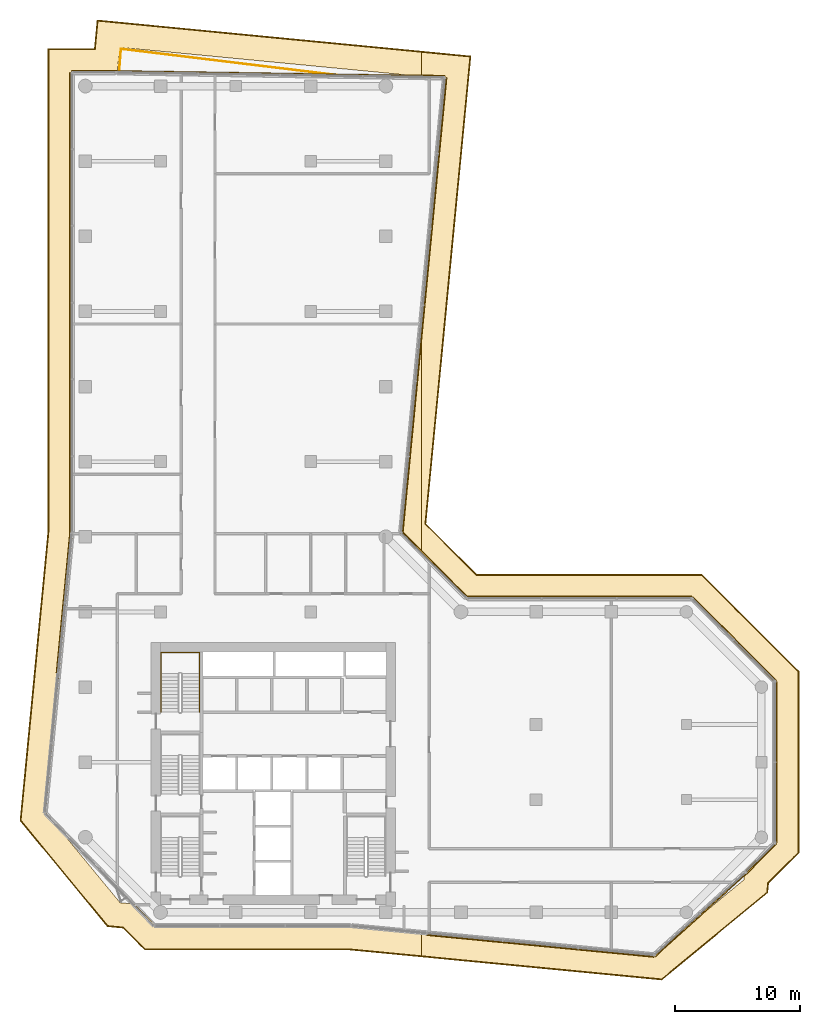
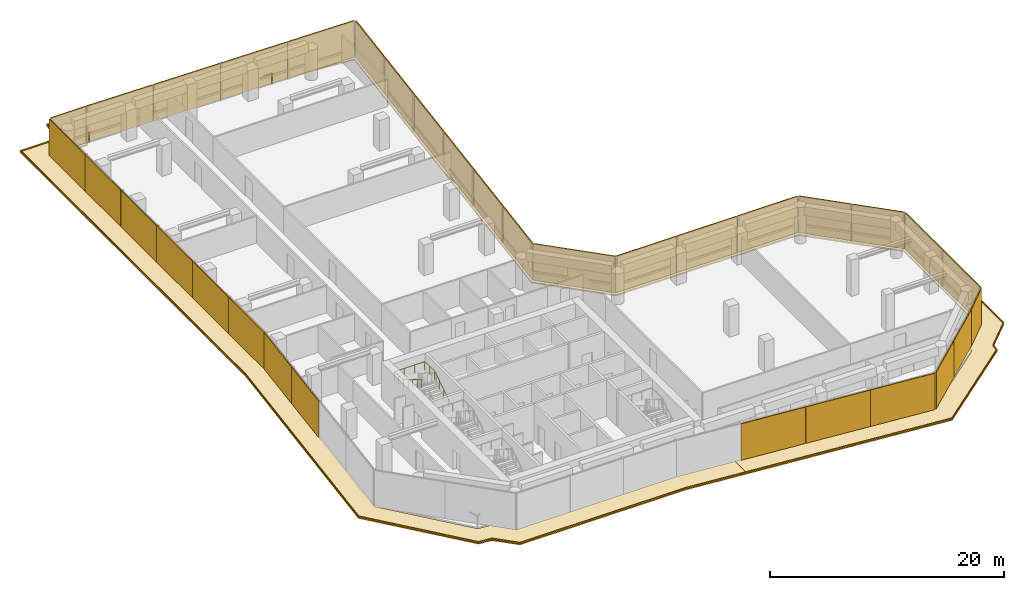
# One storey, part 12 of 12: 38 coverings, 2 railings.
"""IFC4 building model written with IfcOpenShell, lengths in metres."""

import ifcopenshell
import ifcopenshell.guid

model = None  # the IFC model being written
_history = None  # IfcOwnerHistory: only IFC2X3 demands one
_inside = {}  # id of a spatial element -> (the spatial element, [elements in it])
_under = {}  # id of a project, library or spatial element -> (it, [spatial elements below it])
_declared = {}  # id of a project -> (the project, [libraries it declares])
_typed = {}  # id of a type object -> (the type object, [elements of that type])
_made_of = {}  # id of a material, layer set ... -> (it, [elements and type objects made of it])


def new_model(schema):
    """Start an empty IFC model of exactly this schema.

    Asked for "IFC4X3", IfcOpenShell would pick the latest addendum, in which some entities
    have other attributes; the version numbers below select the first issue.
    IFC2X3 requires an IfcOwnerHistory on every rooted entity: one is made here for all.
    """
    global model, _history
    if schema == "IFC4X3":
        model = ifcopenshell.file(schema_version=(4, 3, 0, 0))
    else:
        model = ifcopenshell.file(schema=schema)
    _inside.clear()
    _under.clear()
    _declared.clear()
    _typed.clear()
    _made_of.clear()
    _history = None
    if model.schema == "IFC2X3":
        org = make("IfcOrganization", Name="unknown")
        user = make(
            "IfcPersonAndOrganization",
            ThePerson=make("IfcPerson", FamilyName="unknown"),
            TheOrganization=org,
        )
        app = make(
            "IfcApplication",
            ApplicationDeveloper=org,
            Version="unknown",
            ApplicationFullName="unknown",
            ApplicationIdentifier="unknown",
        )
        _history = make(
            "IfcOwnerHistory",
            OwningUser=user,
            OwningApplication=app,
            ChangeAction="ADDED",
            CreationDate=0,
        )
    return model


def make(cls, **values):
    """One entity of the class cls with the attributes given. An attribute that is None is left unset."""
    return model.create_entity(
        cls, **{name: value for name, value in values.items() if value is not None}
    )


def rooted(cls, **values):
    """An entity with a GlobalId (a new one), such as an element, a storey or a relation."""
    return make(cls, GlobalId=ifcopenshell.guid.new(), OwnerHistory=_history, **values)


def si_unit(unit_type, name, prefix=None):
    """IfcSIUnit, for example si_unit("LENGTHUNIT", "METRE", prefix="MILLI")."""
    return make("IfcSIUnit", UnitType=unit_type, Prefix=prefix, Name=name)


def assignment(units):
    """IfcUnitAssignment: the units of a project."""
    return None if units is None else make("IfcUnitAssignment", Units=units)


def point(xyz):
    """IfcCartesianPoint."""
    return None if xyz is None else make("IfcCartesianPoint", Coordinates=xyz)


def direction(xyz):
    """IfcDirection."""
    return None if xyz is None else make("IfcDirection", DirectionRatios=xyz)


def frame(location, z_axis=None, x_axis=None):
    """IfcAxis2Placement3D, a coordinate frame: its origin and axes. An axis left out is left unset."""
    return make(
        "IfcAxis2Placement3D",
        Location=point(location),
        Axis=direction(z_axis),
        RefDirection=direction(x_axis),
    )


def frame_2d(location, x_axis=None):
    """IfcAxis2Placement2D, a coordinate frame in the plane: its origin and x axis."""
    return make(
        "IfcAxis2Placement2D", Location=point(location), RefDirection=direction(x_axis)
    )


def origin():
    """The frame at (0, 0, 0) with its axes left unset."""
    return frame((0.0, 0.0, 0.0))


def origin_2d():
    """The frame at (0, 0) in the plane with its x axis left unset."""
    return frame_2d((0.0, 0.0))


def place(relative_to, where):
    """IfcLocalPlacement: puts the frame where relative to a parent placement (None: the world)."""
    return make(
        "IfcLocalPlacement", PlacementRelTo=relative_to, RelativePlacement=where
    )


def context(
    kind, dimensions, precision=None, world=None, true_north=None, identifier=None
):
    """IfcGeometricRepresentationContext, for example the 3D "Model" context."""
    return make(
        "IfcGeometricRepresentationContext",
        ContextIdentifier=identifier,
        ContextType=kind,
        CoordinateSpaceDimension=dimensions,
        Precision=precision,
        WorldCoordinateSystem=world,
        TrueNorth=true_north,
    )


def subcontext(parent, identifier, kind, view, scale=None):
    """IfcGeometricRepresentationSubContext, for example "Body" below "Model"."""
    return make(
        "IfcGeometricRepresentationSubContext",
        ContextIdentifier=identifier,
        ContextType=kind,
        ParentContext=parent,
        TargetScale=scale,
        TargetView=view,
    )


def project(units=None, contexts=None):
    """IfcProject with its units and contexts."""
    return rooted(
        "IfcProject",
        Name="project",
        RepresentationContexts=contexts,
        UnitsInContext=assignment(units),
    )


def spatial(cls, under=None, at=None, **own):
    """A site, building, storey or space (cls), placed at a placement, below another one or the project."""
    s = rooted(cls, ObjectPlacement=at, **own)
    if under is not None:
        _under.setdefault(under.id(), (under, []))[1].append(s)
    return s


def polyline(points):
    """IfcPolyline through the points."""
    return make("IfcPolyline", Points=[point(p) for p in points])


def profile(cls, at=None, kind="AREA", **sizes):
    """A parametric profile (cls). Its sizes go by their IFC names, for example OverallWidth=200.0."""
    return make(cls, ProfileType=kind, Position=at, **sizes)


def rectangle(**sizes):
    """IfcRectangleProfileDef."""
    return profile("IfcRectangleProfileDef", **sizes)


def circle(**sizes):
    """IfcCircleProfileDef."""
    return profile("IfcCircleProfileDef", **sizes)


def outline(outer, holes=None, kind="AREA"):
    """IfcArbitraryClosedProfileDef: a profile drawn as a closed curve; with holes, ...WithVoids."""
    if holes is None:
        return make("IfcArbitraryClosedProfileDef", ProfileType=kind, OuterCurve=outer)
    return make(
        "IfcArbitraryProfileDefWithVoids",
        ProfileType=kind,
        OuterCurve=outer,
        InnerCurves=holes,
    )


def extrude(swept, where, along, depth):
    """IfcExtrudedAreaSolid: the profile swept, set in the frame where, extruded along a direction by depth."""
    return make(
        "IfcExtrudedAreaSolid",
        SweptArea=swept,
        Position=where,
        ExtrudedDirection=direction(along),
        Depth=depth,
    )


def shape(context_of_items, identifier, shape_type, items):
    """IfcShapeRepresentation: the items that make up one representation, for example the "Body"."""
    return make(
        "IfcShapeRepresentation",
        ContextOfItems=context_of_items,
        RepresentationIdentifier=identifier,
        RepresentationType=shape_type,
        Items=items,
    )


def material(Name=None, Category=None):
    """IfcMaterial."""
    return make("IfcMaterial", Name=Name, Category=Category)


def layer(
    of_material, thickness, ventilated=None, Name=None, Category=None, Priority=None
):
    """IfcMaterialLayer: one layer of a wall or slab, of a material (None: an air gap)."""
    return make(
        "IfcMaterialLayer",
        Material=of_material,
        LayerThickness=thickness,
        IsVentilated=ventilated,
        Name=Name,
        Category=Category,
        Priority=Priority,
    )


def layer_set(layers, Name=None):
    """IfcMaterialLayerSet."""
    return make("IfcMaterialLayerSet", MaterialLayers=layers, LayerSetName=Name)


def made_of(thing, what):
    """Note that an element or type object is made of a material, layer set ...; save() writes the relation."""
    if what is not None:
        _made_of.setdefault(what.id(), (what, []))[1].append(thing)
    return thing


def type_object(cls, material=None, **own):
    """A type object (cls), such as IfcWallType, which elements share."""
    return made_of(rooted(cls, **own), material)


def element(
    cls,
    number,
    at=None,
    inside=None,
    cuts=None,
    type_object=None,
    material=None,
    context=None,
    identifier="Body",
    shape_type=None,
    held_by="IfcProductDefinitionShape",
    body=None,
    shapes=None,
    **own,
):
    """One element of the class cls, such as IfcWall. Its Tag is "e" and its number.

    at: its placement. inside: the storey or other place that contains it. cuts: it is an
    opening in that element (IfcRelVoidsElement). A single representation is given by context,
    identifier, shape_type and body (its items); several are given by shapes. held_by: the class
    of the entity that holds the representations. save() writes the other relations.
    """
    e = rooted(cls, Tag="e%d" % number, ObjectPlacement=at, **own)
    if body is not None:
        shapes = [shape(context, identifier, shape_type, body)]
    if shapes is not None:
        e.Representation = make(held_by, Representations=shapes)
    if inside is not None:
        _inside.setdefault(inside.id(), (inside, []))[1].append(e)
    if cuts is not None:
        rooted(
            "IfcRelVoidsElement", RelatingBuildingElement=cuts, RelatedOpeningElement=e
        )
    if type_object is not None:
        _typed.setdefault(type_object.id(), (type_object, []))[1].append(e)
    return made_of(e, material)


def aggregate(whole, parts):
    """IfcRelAggregates: a whole, such as a stair, and the parts it consists of."""
    return rooted("IfcRelAggregates", RelatingObject=whole, RelatedObjects=parts)


def save(model, path):
    """Write the relations noted so far, then the file.

    IfcRelAggregates (storeys below a building ...), IfcRelContainedInSpatialStructure (elements
    in a storey), IfcRelDefinesByType, IfcRelAssociatesMaterial and IfcRelDeclares: one each for
    every whole, place, type object, material and project.
    """
    for whole, parts in _under.values():
        aggregate(whole, parts)
    for where, things in _inside.values():
        rooted(
            "IfcRelContainedInSpatialStructure",
            RelatedElements=things,
            RelatingStructure=where,
        )
    for kind, things in _typed.values():
        rooted("IfcRelDefinesByType", RelatedObjects=things, RelatingType=kind)
    for what, things in _made_of.values():
        rooted("IfcRelAssociatesMaterial", RelatedObjects=things, RelatingMaterial=what)
    for by, libraries in _declared.values():
        rooted("IfcRelDeclares", RelatingContext=by, RelatedDefinitions=libraries)
    model.write(path)


model = new_model("IFC4")

# Units and contexts
model_context = context("Model", 3, precision=1e-05, world=origin(), true_north=direction((0.0, 1.0)))
body_context = subcontext(model_context, "Body", "Model", "MODEL_VIEW")
ifc_project = project(units=[si_unit("LENGTHUNIT", "METRE"), si_unit("AREAUNIT", "SQUARE_METRE"), si_unit("VOLUMEUNIT", "CUBIC_METRE"), si_unit("PLANEANGLEUNIT", "RADIAN"), si_unit("MASSUNIT", "GRAM", prefix="KILO")], contexts=[model_context])

# Site, building, storey
site_placement = place(None, origin())
site = spatial("IfcSite", under=ifc_project, at=site_placement, CompositionType="ELEMENT")
building_placement = place(site_placement, origin())
building = spatial("IfcBuilding", under=site, at=building_placement, Name="Welwitschia Terrace Campus", CompositionType="ELEMENT")
storey_placement = place(building_placement, frame((0.0, 0.0, 134.0)))
storey = spatial("IfcBuildingStorey", under=building, at=storey_placement, Name="L30", CompositionType="ELEMENT", Elevation=134.0)

# Coverings
ifc_material_1 = material(Name="Bronze mesh aluminium screen", Category="aluminium")
ifc_layer_1 = layer(ifc_material_1, 0.090087890625)
ifc_layer_set_1 = layer_set([ifc_layer_1], Name="Bronze mesh aluminium screen")
covering_type_1 = type_object("IfcCoveringType", Name="Bronze screen 90 plant", PredefinedType="USERDEFINED", material=ifc_layer_set_1)
for number, where, z_axis, x_axis, name in (
    (1, (-1.4599609375, 31.53369140625, 0.0), (0.0, 0.0, 1.0), (-0.09584575252, -0.995396198367, 0.0), "Screen L30.0.0"),
    (2, (-1.998779296875, 25.9375, 0.0), (0.0, 0.0, 1.0), (-0.09584575252, -0.995396198367, 0.0), "Screen L30.0.1"),
):
    element("IfcCovering", number, at=place(storey_placement, frame(where, z_axis=z_axis, x_axis=x_axis)), inside=storey, type_object=covering_type_1, Name=name, ObjectType="SCREEN", PredefinedType="USERDEFINED", context=body_context, shape_type="SweptSolid", body=[
        extrude(rectangle(XDim=5.60205078125, YDim=0.090087890625, at=origin_2d()), origin(), (0.0, 0.0, 1.0), 3.800048828125),
    ])
for number, where, z_axis, x_axis, name in (
    (3, (30.2919921875, 1.935546875, 0.0), (0.0, 0.0, 1.0), (0.995396198367, -0.09584575252, 0.0), "Screen L30.3.1"),
    (4, (36.34326171875, 1.352783203125, 0.0), (0.0, 0.0, 1.0), (0.995396198367, -0.09584575252, 0.0), "Screen L30.3.2"),
    (5, (42.39453125, 0.77001953125, 0.0), (0.0, 0.0, 1.0), (0.995396198367, -0.09584575252, 0.0), "Screen L30.3.3"),
):
    element("IfcCovering", number, at=place(storey_placement, frame(where, z_axis=z_axis, x_axis=x_axis)), inside=storey, type_object=covering_type_1, Name=name, ObjectType="SCREEN", PredefinedType="USERDEFINED", context=body_context, shape_type="SweptSolid", body=[
        extrude(rectangle(XDim=6.059326171875, YDim=0.090087890625, at=origin_2d()), origin(), (0.0, 0.0, 1.0), 3.800048828125),
    ])
for number, where, z_axis, x_axis, name in (
    (6, (47.32666015625, 2.1591796875, 0.0), (0.0, 0.0, 1.0), (0.741194149237, 0.671290721771, 0.0), "Screen L30.4.0"),
    (7, (50.978515625, 5.466796875, 0.0), (0.0, 0.0, 1.0), (0.741194149237, 0.671290721771, 0.0), "Screen L30.4.1"),
):
    element("IfcCovering", number, at=place(storey_placement, frame(where, z_axis=z_axis, x_axis=x_axis)), inside=storey, type_object=covering_type_1, Name=name, ObjectType="SCREEN", PredefinedType="USERDEFINED", context=body_context, shape_type="SweptSolid", body=[
        extrude(rectangle(XDim=4.906982421875, YDim=0.090087890625, at=origin_2d()), origin(), (0.0, 0.0, 1.0), 3.800048828125),
    ])
covering_1_placement = place(storey_placement, frame((53.984375, 8.300048828125, 0.0), z_axis=(0.0, 0.0, 1.0), x_axis=(0.707106781187, 0.707106781187, 0.0)))
element("IfcCovering", 8, at=covering_1_placement, inside=storey, type_object=covering_type_1, Name="Screen L30.5.0", ObjectType="SCREEN", PredefinedType="USERDEFINED", context=body_context, shape_type="SweptSolid", body=[
    extrude(rectangle(XDim=3.30615234375, YDim=0.090087890625, at=origin_2d()), origin(), (0.0, 0.0, 1.0), 3.800048828125),
])
for number, where, z_axis, x_axis, name in (
    (9, (55.19091796875, 12.775146484375, 0.0), (0.0, 0.0, 1.0), (0.0, 1.0, 0.0), "Screen L30.6.0"),
    (10, (55.19091796875, 19.224853515625, 0.0), (0.0, 0.0, 1.0), (0.0, 1.0, 0.0), "Screen L30.6.1"),
):
    element("IfcCovering", number, at=place(storey_placement, frame(where, z_axis=z_axis, x_axis=x_axis)), inside=storey, type_object=covering_type_1, Name=name, ObjectType="SCREEN", PredefinedType="USERDEFINED", context=body_context, shape_type="SweptSolid", body=[
        extrude(rectangle(XDim=6.4296875, YDim=0.090087890625, at=origin_2d()), origin(), (0.0, 0.0, 1.0), 3.800048828125),
    ])
for number, where, z_axis, x_axis, name in (
    (11, (53.501220703125, 24.18310546875, 0.0), (0.0, 0.0, 1.0), (-0.707106781187, 0.707106781187, 0.0), "Screen L30.7.0"),
    (12, (50.18310546875, 27.501220703125, 0.0), (0.0, 0.0, 1.0), (-0.707106781187, 0.707106781187, 0.0), "Screen L30.7.1"),
):
    element("IfcCovering", number, at=place(storey_placement, frame(where, z_axis=z_axis, x_axis=x_axis)), inside=storey, type_object=covering_type_1, Name=name, ObjectType="SCREEN", PredefinedType="USERDEFINED", context=body_context, shape_type="SweptSolid", body=[
        extrude(rectangle(XDim=4.672607421875, YDim=0.090087890625, at=origin_2d()), origin(), (0.0, 0.0, 1.0), 3.800048828125),
    ])
for number, where, z_axis, x_axis, name in (
    (13, (45.44970703125, 29.19091796875, 0.0), (0.0, 0.0, 1.0), (-1.0, 0.0, 0.0), "Screen L30.8.0"),
    (14, (39.44970703125, 29.19091796875, 0.0), (0.0, 0.0, 1.0), (-1.0, 0.0, 0.0), "Screen L30.8.1"),
    (15, (33.44970703125, 29.19091796875, 0.0), (0.0, 0.0, 1.0), (-1.0, 0.0, 0.0), "Screen L30.8.2"),
):
    element("IfcCovering", number, at=place(storey_placement, frame(where, z_axis=z_axis, x_axis=x_axis)), inside=storey, type_object=covering_type_1, Name=name, ObjectType="SCREEN", PredefinedType="USERDEFINED", context=body_context, shape_type="SweptSolid", body=[
        extrude(rectangle(XDim=5.97998046875, YDim=0.090087890625, at=origin_2d()), origin(), (0.0, 0.0, 1.0), 3.800048828125),
    ])
covering_2_placement = place(storey_placement, frame((27.903076171875, 31.78125, 0.0), z_axis=(0.0, 0.0, 1.0), x_axis=(-0.707106781187, 0.707106781187, 0.0)))
element("IfcCovering", 16, at=covering_2_placement, inside=storey, type_object=covering_type_1, Name="Screen L30.9.0", ObjectType="SCREEN", PredefinedType="USERDEFINED", context=body_context, shape_type="SweptSolid", body=[
    extrude(rectangle(XDim=7.3935546875, YDim=0.090087890625, at=origin_2d()), origin(), (0.0, 0.0, 1.0), 3.800048828125),
])
for number, where, z_axis, x_axis, name in (
    (17, (25.60400390625, 37.347412109375, 0.0), (0.0, 0.0, 1.0), (0.09584575252, 0.995396198367, 0.0), "Screen L30.10.0"),
    (18, (26.187255859375, 43.40625, 0.0), (0.0, 0.0, 1.0), (0.09584575252, 0.995396198367, 0.0), "Screen L30.10.1"),
    (19, (26.770751953125, 49.465087890625, 0.0), (0.0, 0.0, 1.0), (0.09584575252, 0.995396198367, 0.0), "Screen L30.10.2"),
    (20, (27.35400390625, 55.523681640625, 0.0), (0.0, 0.0, 1.0), (0.09584575252, 0.995396198367, 0.0), "Screen L30.10.3"),
    (21, (27.9375, 61.58251953125, 0.0), (0.0, 0.0, 1.0), (0.09584575252, 0.995396198367, 0.0), "Screen L30.10.4"),
    (22, (28.520751953125, 67.641357421875, 0.0), (0.0, 0.0, 1.0), (0.09584575252, 0.995396198367, 0.0), "Screen L30.10.5"),
):
    element("IfcCovering", number, at=place(storey_placement, frame(where, z_axis=z_axis, x_axis=x_axis)), inside=storey, type_object=covering_type_1, Name=name, ObjectType="SCREEN", PredefinedType="USERDEFINED", context=body_context, shape_type="SweptSolid", body=[
        extrude(rectangle(XDim=6.06689453125, YDim=0.090087890625, at=origin_2d()), origin(), (0.0, 0.0, 1.0), 3.800048828125),
    ])
for number, where, z_axis, x_axis, name in (
    (23, (25.427978515625, 70.83642578125, 0.0), (0.0, 0.0, 1.0), (-0.999880907458, 0.015432786585, 0.0), "Screen L30.11.0"),
    (24, (18.864501953125, 70.937744140625, 0.0), (0.0, 0.0, 1.0), (-0.999880907458, 0.015432786585, 0.0), "Screen L30.11.1"),
    (25, (12.30078125, 71.0390625, 0.0), (0.0, 0.0, 1.0), (-0.999880907458, 0.015432786585, 0.0), "Screen L30.11.2"),
    (26, (5.7373046875, 71.140380859375, 0.0), (0.0, 0.0, 1.0), (-0.999880907458, 0.015432786585, 0.0), "Screen L30.11.3"),
):
    element("IfcCovering", number, at=place(storey_placement, frame(where, z_axis=z_axis, x_axis=x_axis)), inside=storey, type_object=covering_type_1, Name=name, ObjectType="SCREEN", PredefinedType="USERDEFINED", context=body_context, shape_type="SweptSolid", body=[
        extrude(rectangle(XDim=6.544189453125, YDim=0.090087890625, at=origin_2d()), origin(), (0.0, 0.0, 1.0), 3.800048828125),
    ])
covering_3_placement = place(storey_placement, frame((0.68408203125, 71.19091796875, 0.0), z_axis=(0.0, 0.0, 1.0), x_axis=(-1.0, 0.0, 0.0)))
element("IfcCovering", 27, at=covering_3_placement, inside=storey, type_object=covering_type_1, Name="Screen L30.12.0", ObjectType="SCREEN", PredefinedType="USERDEFINED", context=body_context, shape_type="SweptSolid", body=[
    extrude(rectangle(XDim=3.52001953125, YDim=0.090087890625, at=origin_2d()), origin(), (0.0, 0.0, 1.0), 3.800048828125),
])
for number, where, z_axis, x_axis, name in (
    (28, (-1.19091796875, 68.022216796875, 0.0), (0.0, 0.0, 1.0), (0.0, -1.0, 0.0), "Screen L30.13.0"),
    (29, (-1.19091796875, 61.89501953125, 0.0), (0.0, 0.0, 1.0), (0.0, -1.0, 0.0), "Screen L30.13.1"),
    (30, (-1.19091796875, 55.767578125, 0.0), (0.0, 0.0, 1.0), (0.0, -1.0, 0.0), "Screen L30.13.2"),
    (31, (-1.19091796875, 49.64013671875, 0.0), (0.0, 0.0, 1.0), (0.0, -1.0, 0.0), "Screen L30.13.3"),
    (32, (-1.19091796875, 43.5126953125, 0.0), (0.0, 0.0, 1.0), (0.0, -1.0, 0.0), "Screen L30.13.4"),
    (33, (-1.19091796875, 37.385498046875, 0.0), (0.0, 0.0, 1.0), (0.0, -1.0, 0.0), "Screen L30.13.5"),
):
    element("IfcCovering", number, at=place(storey_placement, frame(where, z_axis=z_axis, x_axis=x_axis)), inside=storey, type_object=covering_type_1, Name=name, ObjectType="SCREEN", PredefinedType="USERDEFINED", context=body_context, shape_type="SweptSolid", body=[
        extrude(rectangle(XDim=6.107421875, YDim=0.090087890625, at=origin_2d()), origin(), (0.0, 0.0, 1.0), 3.800048828125),
    ])

# Railings
ifc_material_2 = material(Name="Stainless steel grade 316", Category="steel")
railing_type_1 = type_object("IfcRailingType", Name="Guard 1100", PredefinedType="GUARDRAIL", material=ifc_material_2)
railing_1_placement = place(storey_placement, frame((2.697021484375, 71.082275390625, 0.0)))
element("IfcRailing", 34, at=railing_1_placement, inside=storey, type_object=railing_type_1, Name="Guard floor edge L30.1", PredefinedType="GUARDRAIL", context=body_context, shape_type="SweptSolid", body=[
    extrude(circle(Radius=0.02392578125, at=origin_2d()), frame((0.0, 0.0, 1.076171875), z_axis=(0.076686609724, 0.997055246157, 0.0), x_axis=(-0.997055246157, 0.076686609724, 0.0)), (0.0, 0.0, 1.0), 1.887939453125),
    extrude(circle(Radius=0.02392578125, at=origin_2d()), frame((0.144775390625, 1.88232421875, 1.076171875), z_axis=(0.992675487787, -0.120811323752, 0.0), x_axis=(0.120811323752, 0.992675487787, 0.0)), (0.0, 0.0, 1.0), 17.8642578125),
    extrude(circle(Radius=0.02099609375, at=origin_2d()), origin(), (0.0, 0.0, 1.0), 1.052001953125),
    extrude(circle(Radius=0.02099609375, at=origin_2d()), frame((0.072265625, 0.941162109375, 0.0)), (0.0, 0.0, 1.0), 1.052001953125),
    extrude(circle(Radius=0.02099609375, at=origin_2d()), frame((0.144775390625, 1.88232421875, 0.0)), (0.0, 0.0, 1.0), 1.052001953125),
    extrude(circle(Radius=0.02099609375, at=origin_2d()), frame((1.62255859375, 1.702392578125, 0.0)), (0.0, 0.0, 1.0), 1.052001953125),
    extrude(circle(Radius=0.02099609375, at=origin_2d()), frame((3.100341796875, 1.522705078125, 0.0)), (0.0, 0.0, 1.0), 1.052001953125),
    extrude(circle(Radius=0.02099609375, at=origin_2d()), frame((4.578125, 1.3427734375, 0.0)), (0.0, 0.0, 1.0), 1.052001953125),
    extrude(circle(Radius=0.02099609375, at=origin_2d()), frame((6.055908203125, 1.162841796875, 0.0)), (0.0, 0.0, 1.0), 1.052001953125),
    extrude(circle(Radius=0.02099609375, at=origin_2d()), frame((7.53369140625, 0.983154296875, 0.0)), (0.0, 0.0, 1.0), 1.052001953125),
    extrude(circle(Radius=0.02099609375, at=origin_2d()), frame((9.011474609375, 0.80322265625, 0.0)), (0.0, 0.0, 1.0), 1.052001953125),
    extrude(circle(Radius=0.02099609375, at=origin_2d()), frame((10.4892578125, 0.623291015625, 0.0)), (0.0, 0.0, 1.0), 1.052001953125),
    extrude(circle(Radius=0.02099609375, at=origin_2d()), frame((11.967041015625, 0.443603515625, 0.0)), (0.0, 0.0, 1.0), 1.052001953125),
    extrude(circle(Radius=0.02099609375, at=origin_2d()), frame((13.44482421875, 0.263671875, 0.0)), (0.0, 0.0, 1.0), 1.052001953125),
    extrude(circle(Radius=0.02099609375, at=origin_2d()), frame((14.922607421875, 0.083740234375, 0.0)), (0.0, 0.0, 1.0), 1.052001953125),
    extrude(circle(Radius=0.02099609375, at=origin_2d()), frame((16.400390625, -0.095947265625, 0.0)), (0.0, 0.0, 1.0), 1.052001953125),
    extrude(circle(Radius=0.02099609375, at=origin_2d()), frame((17.878173828125, -0.27587890625, 0.0)), (0.0, 0.0, 1.0), 1.052001953125),
])
ifc_material_3 = material(Name="Steel S355", Category="steel")
railing_type_2 = type_object("IfcRailingType", Name="Stair handrail 900", PredefinedType="HANDRAIL", material=ifc_material_3)
railing_2_placement = place(storey_placement, frame((9.10009765625, 20.0, 0.175048828125)))
element("IfcRailing", 35, at=railing_2_placement, inside=storey, type_object=railing_type_2, Name="L30 S4 stair handrail", PredefinedType="HANDRAIL", context=body_context, shape_type="SweptSolid", body=[
    extrude(circle(Radius=0.02392578125, at=origin_2d()), frame((0.0, 0.0, 0.8759765625), z_axis=(0.0, 0.847998304005, 0.529998940003), x_axis=(-1.0, 0.0, 0.0)), (0.0, 0.0, 1.0), 3.632080078125),
    extrude(circle(Radius=0.02392578125, at=origin_2d()), frame((0.0, 3.080078125, 2.80078125), z_axis=(0.0, 1.0, 0.0), x_axis=(-1.0, 0.0, 0.0)), (0.0, 0.0, 1.0), 1.669921875),
    extrude(circle(Radius=0.02392578125, at=origin_2d()), frame((0.0, 4.75, 2.80078125), z_axis=(-1.0, 0.0, 0.0), x_axis=(0.0, -1.0, 0.0)), (0.0, 0.0, 1.0), 3.050048828125),
    extrude(circle(Radius=0.02392578125, at=origin_2d()), frame((-3.050048828125, 4.75, 2.80078125), z_axis=(0.0, -0.994565838508, 0.104109523446), x_axis=(1.0, 0.0, 0.0)), (0.0, 0.0, 1.0), 1.678955078125),
    extrude(circle(Radius=0.02392578125, at=origin_2d()), frame((-3.050048828125, 3.080078125, 2.9755859375), z_axis=(0.0, -0.847998304005, 0.529998940003), x_axis=(1.0, 0.0, 0.0)), (0.0, 0.0, 1.0), 3.632080078125),
    extrude(circle(Radius=0.02099609375, at=origin_2d()), origin(), (0.0, 0.0, 1.0), 0.851806640625),
    extrude(circle(Radius=0.02099609375, at=origin_2d()), frame((0.0, 0.77001953125, 0.481201171875)), (0.0, 0.0, 1.0), 0.851806640625),
    extrude(circle(Radius=0.02099609375, at=origin_2d()), frame((0.0, 1.5400390625, 0.96240234375)), (0.0, 0.0, 1.0), 0.851806640625),
    extrude(circle(Radius=0.02099609375, at=origin_2d()), frame((0.0, 2.31005859375, 1.44384765625)), (0.0, 0.0, 1.0), 0.851806640625),
    extrude(circle(Radius=0.02099609375, at=origin_2d()), frame((0.0, 3.080078125, 1.925048828125)), (0.0, 0.0, 1.0), 0.851806640625),
    extrude(circle(Radius=0.02099609375, at=origin_2d()), frame((0.0, 3.9150390625, 1.925048828125)), (0.0, 0.0, 1.0), 0.851806640625),
    extrude(circle(Radius=0.02099609375, at=origin_2d()), frame((0.0, 4.75, 1.925048828125)), (0.0, 0.0, 1.0), 0.851806640625),
    extrude(circle(Radius=0.02099609375, at=origin_2d()), frame((-1.0166015625, 4.75, 1.925048828125)), (0.0, 0.0, 1.0), 0.851806640625),
    extrude(circle(Radius=0.02099609375, at=origin_2d()), frame((-2.033447265625, 4.75, 1.925048828125)), (0.0, 0.0, 1.0), 0.851806640625),
    extrude(circle(Radius=0.02099609375, at=origin_2d()), frame((-3.050048828125, 4.75, 1.925048828125)), (0.0, 0.0, 1.0), 0.851806640625),
    extrude(circle(Radius=0.02099609375, at=origin_2d()), frame((-3.050048828125, 3.9150390625, 2.012451171875)), (0.0, 0.0, 1.0), 0.851806640625),
    extrude(circle(Radius=0.02099609375, at=origin_2d()), frame((-3.050048828125, 3.080078125, 2.099853515625)), (0.0, 0.0, 1.0), 0.851806640625),
    extrude(circle(Radius=0.02099609375, at=origin_2d()), frame((-3.050048828125, 2.31005859375, 2.5810546875)), (0.0, 0.0, 1.0), 0.851806640625),
    extrude(circle(Radius=0.02099609375, at=origin_2d()), frame((-3.050048828125, 1.5400390625, 3.0625)), (0.0, 0.0, 1.0), 0.851806640625),
    extrude(circle(Radius=0.02099609375, at=origin_2d()), frame((-3.050048828125, 0.77001953125, 3.543701171875)), (0.0, 0.0, 1.0), 0.851806640625),
    extrude(circle(Radius=0.02099609375, at=origin_2d()), frame((-3.050048828125, 0.0, 4.02490234375)), (0.0, 0.0, 1.0), 0.851806640625),
])

# Coverings
ifc_material_4 = material(Name="Bronze anodised aluminium", Category="aluminium")
ifc_layer_2 = layer(ifc_material_4, 0.1201171875)
ifc_layer_set_2 = layer_set([ifc_layer_2], Name="Bronze anodised aluminium")
covering_type_2 = type_object("IfcCoveringType", Name="Sunshade band 2000", PredefinedType="USERDEFINED", material=ifc_layer_set_2)
covering_4_placement = place(storey_placement, frame((0.0, 0.0, -0.25)))
element("IfcCovering", 36, at=covering_4_placement, inside=storey, type_object=covering_type_2, Name="SUNSHADE L30.SW0", ObjectType="SUNSHADE", PredefinedType="USERDEFINED", context=body_context, shape_type="SweptSolid", body=[
    extrude(outline(polyline([(0.71533203125, 73.0), (0.934814453125, 75.27783203125), (26.84765625, 72.78271484375), (26.84765625, 70.7734375), (2.73388671875, 73.095458984375), (2.531982421875, 71.0), (-1.0, 71.0), (-1.0, 34.317626953125), (-3.15234375, 11.9638671875), (2.771728515625, 4.777099609375), (3.9189453125, 4.666748046875), (5.585693359375, 3.0), (21.229248046875, 3.0), (26.84765625, 2.458984375), (26.84765625, 0.44970703125), (21.13330078125, 1.0), (4.75732421875, 1.0), (3.012451171875, 2.744873046875), (1.755615234375, 2.865966796875), (-5.22265625, 11.3310546875), (-3.0, 34.41357421875), (-3.0, 73.0), (0.71533203125, 73.0)])), origin(), (0.0, 0.0, 1.0), 0.1201171875),
])
covering_5_placement = place(storey_placement, frame((0.0, 0.0, -0.25)))
element("IfcCovering", 37, at=covering_5_placement, inside=storey, type_object=covering_type_2, Name="SUNSHADE L30.SW1", ObjectType="SUNSHADE", PredefinedType="USERDEFINED", context=body_context, shape_type="SweptSolid", body=[
    extrude(outline(polyline([(25.1181640625, 34.2958984375), (26.84765625, 52.256591796875), (26.84765625, 32.566650390625), (25.1181640625, 34.2958984375)])), origin(), (0.0, 0.0, 1.0), 0.1201171875),
])
covering_6_placement = place(storey_placement, frame((0.0, 0.0, -0.25)))
element("IfcCovering", 38, at=covering_6_placement, inside=storey, type_object=covering_type_2, Name="SUNSHADE L30.SE0", ObjectType="SUNSHADE", PredefinedType="USERDEFINED", context=body_context, shape_type="SweptSolid", body=[
    extrude(outline(polyline([(30.796630859375, 72.402587890625), (27.199462890625, 35.043212890625), (31.24267578125, 31.0), (49.24267578125, 31.0), (57.0, 23.24267578125), (57.0, 8.75732421875), (54.573486328125, 6.330810546875), (54.501220703125, 5.580322265625), (46.035888671875, -1.39794921875), (26.84765625, 0.44970703125), (26.84765625, 2.458984375), (45.403076171875, 0.67236328125), (52.58984375, 6.5966796875), (52.651611328125, 7.2373046875), (55.0, 9.585693359375), (55.0, 22.414306640625), (48.414306640625, 29.0), (30.414306640625, 29.0), (26.84765625, 32.566650390625), (26.84765625, 52.256591796875), (28.6142578125, 70.603515625), (26.84765625, 70.7734375), (26.84765625, 72.78271484375), (30.796630859375, 72.402587890625)])), origin(), (0.0, 0.0, 1.0), 0.1201171875),
])
ifc_material_5 = material(Name="Bronze anodised aluminium", Category="aluminium")
ifc_layer_3 = layer(ifc_material_5, 0.06005859375)
ifc_layer_set_3 = layer_set([ifc_layer_3], Name="Bronze anodised aluminium")
covering_type_3 = type_object("IfcCoveringType", Name="Sunshade lip 60", PredefinedType="USERDEFINED", material=ifc_layer_set_3)
covering_7_placement = place(storey_placement, frame((0.0, 0.0, -0.1298828125)))
element("IfcCovering", 39, at=covering_7_placement, inside=storey, type_object=covering_type_3, Name="SUNSHADE LIP L30.SW0.0", ObjectType="SUNSHADE", PredefinedType="USERDEFINED", context=body_context, shape_type="SweptSolid", body=[
    extrude(outline(polyline([(0.934814453125, 75.27783203125), (26.84765625, 72.78271484375), (26.84765625, 72.722412109375), (0.98876953125, 75.21240234375), (0.77001953125, 72.93994140625), (-2.93994140625, 72.93994140625), (-2.93994140625, 34.410888671875), (-5.160400390625, 11.35009765625), (1.785888671875, 2.923095703125), (3.039794921875, 2.802490234375), (4.7822265625, 1.06005859375), (21.135986328125, 1.06005859375), (26.84765625, 0.510009765625), (26.84765625, 0.44970703125), (21.13330078125, 1.0), (4.75732421875, 1.0), (3.012451171875, 2.744873046875), (1.755615234375, 2.865966796875), (-5.22265625, 11.3310546875), (-3.0, 34.41357421875), (-3.0, 73.0), (0.71533203125, 73.0), (0.934814453125, 75.27783203125)])), origin(), (0.0, 0.0, 1.0), 0.1298828125),
])
covering_8_placement = place(storey_placement, frame((0.0, 0.0, -0.1298828125)))
element("IfcCovering", 40, at=covering_8_placement, inside=storey, type_object=covering_type_3, Name="SUNSHADE LIP L30.SE0.0", ObjectType="SUNSHADE", PredefinedType="USERDEFINED", context=body_context, shape_type="SweptSolid", body=[
    extrude(outline(polyline([(27.199462890625, 35.043212890625), (31.24267578125, 31.0), (49.24267578125, 31.0), (57.0, 23.24267578125), (57.0, 8.75732421875), (54.573486328125, 6.330810546875), (54.501220703125, 5.580322265625), (46.035888671875, -1.39794921875), (26.84765625, 0.44970703125), (26.84765625, 0.510009765625), (46.01708984375, -1.335693359375), (54.44384765625, 5.61083984375), (54.515869140625, 6.35791015625), (56.93994140625, 8.7822265625), (56.93994140625, 23.2177734375), (49.2177734375, 30.93994140625), (31.2177734375, 30.93994140625), (27.136962890625, 35.020751953125), (30.731201171875, 72.348388671875), (26.84765625, 72.722412109375), (26.84765625, 72.78271484375), (30.796630859375, 72.402587890625), (27.199462890625, 35.043212890625)])), origin(), (0.0, 0.0, 1.0), 0.1298828125),
])

save(model, "model.ifc")
